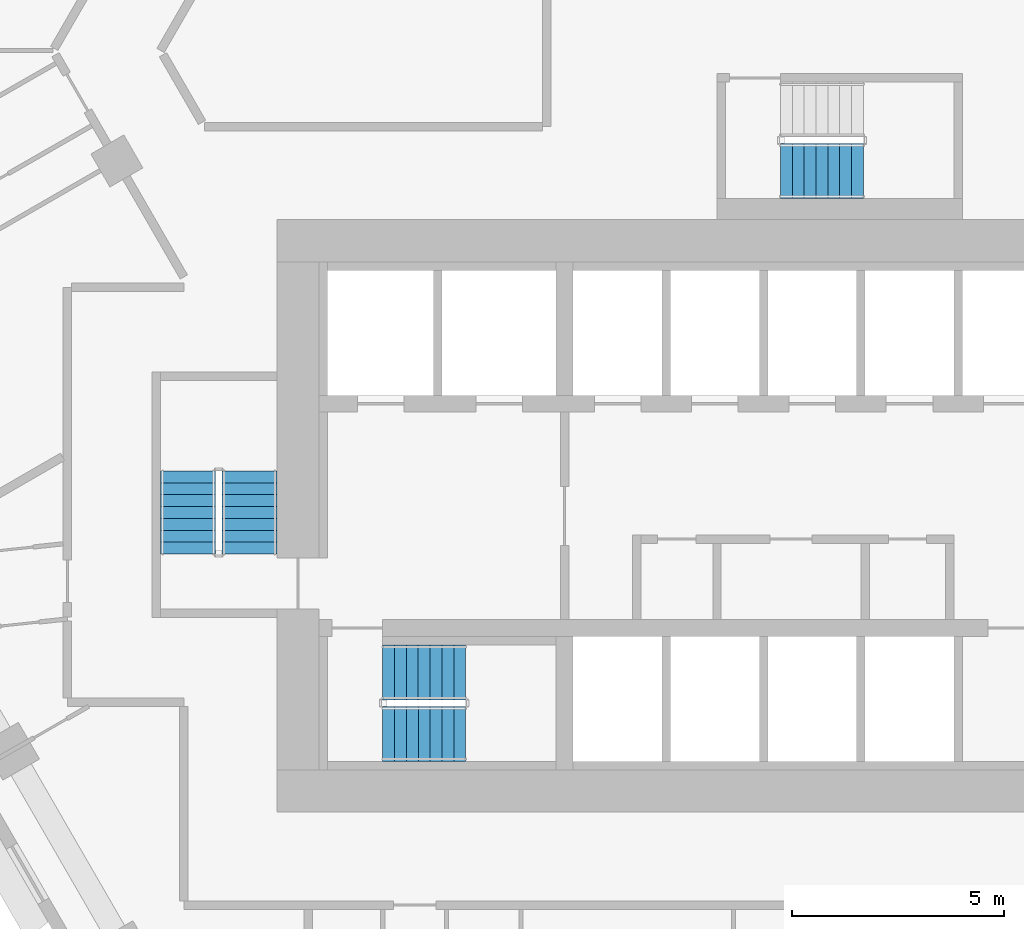
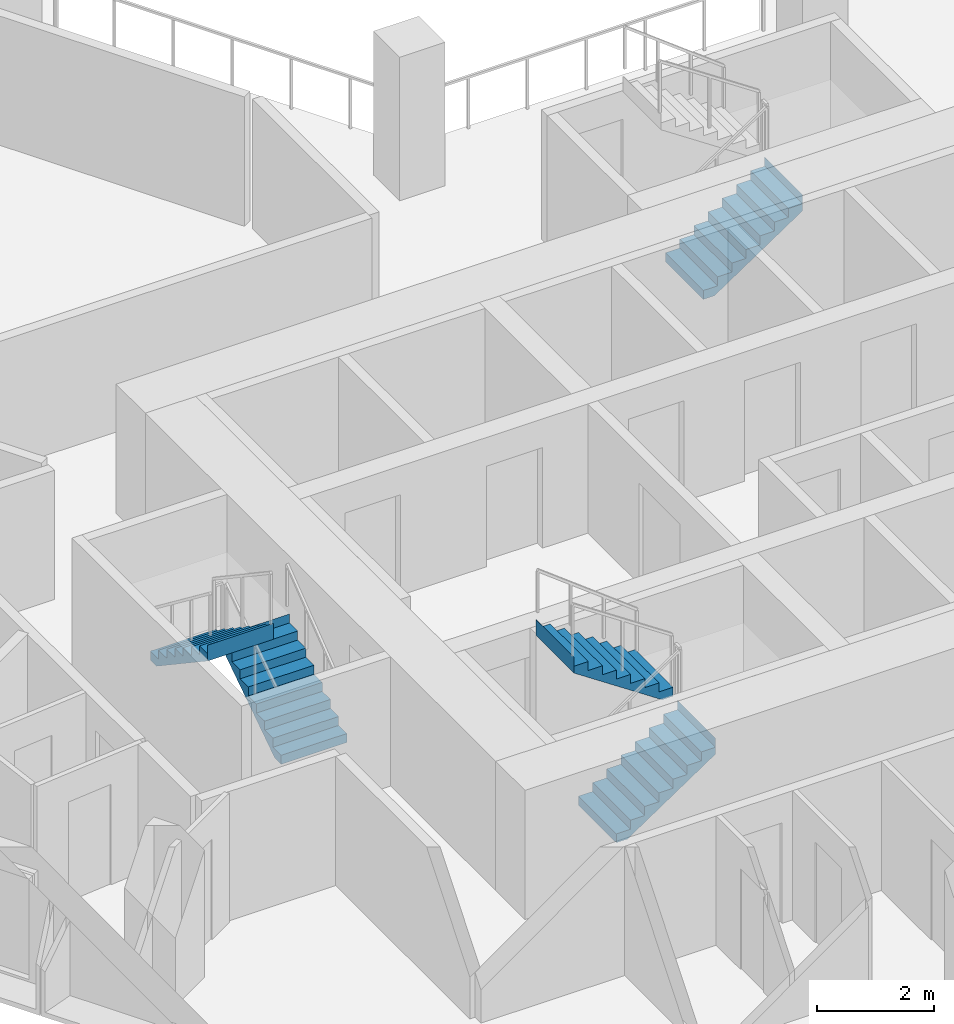
# One storey, part 11 of 16: 5 stair flights, 3 elements without a shape of their own.
"""IFC4 building model written with IfcOpenShell, lengths in metres."""

from ifc_helpers import new_model, si_unit, direction, frame, origin, place, context, subcontext, project, spatial, triangles, material, type_object, element, aggregate, save


model = new_model("IFC4")

# Units and contexts
model_context = context("Model", 3, precision=1e-05, world=origin(), true_north=direction((0.0, 1.0)))
body_context = subcontext(model_context, "Body", "Model", "MODEL_VIEW")
ifc_project = project(units=[si_unit("LENGTHUNIT", "METRE"), si_unit("AREAUNIT", "SQUARE_METRE"), si_unit("VOLUMEUNIT", "CUBIC_METRE"), si_unit("PLANEANGLEUNIT", "RADIAN"), si_unit("MASSUNIT", "GRAM", prefix="KILO")], contexts=[model_context])

# Site, building, storey
site_placement = place(None, origin())
site = spatial("IfcSite", under=ifc_project, at=site_placement, CompositionType="ELEMENT")
building_placement = place(site_placement, origin())
building = spatial("IfcBuilding", under=site, at=building_placement, Name="Beryl Residences", CompositionType="ELEMENT")
storey_placement = place(building_placement, frame((0.0, 0.0, 96.0)))
storey = spatial("IfcBuildingStorey", under=building, at=storey_placement, Name="L29", CompositionType="ELEMENT", Elevation=96.0)

# Stair, stair flights
ifc_material_1 = material(Name="Concrete C40/50", Category="concrete")
stair_type = type_object("IfcStairType", Name="ST1 protected exit stair, half-turn, 1300 mm flights", PredefinedType="HALF_TURN_STAIR", material=ifc_material_1)
stair_1_placement = place(storey_placement, origin())
stair_1 = element("IfcStair", 1, at=stair_1_placement, inside=storey, type_object=stair_type, Name="L29 PROTECTED EXIT STAIR ST-1", PredefinedType="HALF_TURN_STAIR")
ifc_material_2 = material(Name="Concrete C40/50", Category="concrete")
stair_flight_type = type_object("IfcStairFlightType", Name="SF1 stair flight 1300 mm", PredefinedType="STRAIGHT", material=ifc_material_2)
stair_flight_1_placement = place(storey_placement, frame((-10.800048828125, -17.14990234375, 0.0), z_axis=(0.0, 0.0, 1.0), x_axis=(1.0, 0.0, 0.0)))
stair_flight_1 = element("IfcStairFlight", 2, at=stair_flight_1_placement, type_object=stair_flight_type, Name="ST-1 flight 1", NumberOfRisers=8, NumberOfTreads=7, PredefinedType="STRAIGHT", RiserHeight=0.1875, TreadLength=0.28, context=body_context, shape_type="Tessellation", body=[
    triangles([(0.0, -0.64990234375, 0.0), (0.0, -0.324951171875, 0.0), (0.0, 0.0, 0.0), (0.0, 0.324951171875, 0.0), (0.0, 0.64990234375, 0.0), (0.0, -0.64990234375, 0.1875), (0.0, -0.324951171875, 0.1875), (0.0, 0.0, 0.1875), (0.0, 0.324951171875, 0.1875), (0.0, 0.64990234375, 0.1875), (0.280029296875, -0.64990234375, 0.1875), (0.280029296875, -0.324951171875, 0.1875), (0.280029296875, 0.0, 0.1875), (0.280029296875, 0.324951171875, 0.1875), (0.280029296875, 0.64990234375, 0.1875), (0.280029296875, -0.64990234375, 0.375), (0.280029296875, -0.324951171875, 0.375), (0.280029296875, 0.0, 0.375), (0.280029296875, 0.324951171875, 0.375), (0.280029296875, 0.64990234375, 0.375), (0.56005859375, -0.64990234375, 0.375), (0.56005859375, -0.324951171875, 0.375), (0.56005859375, 0.0, 0.375), (0.56005859375, 0.324951171875, 0.375), (0.56005859375, 0.64990234375, 0.375), (0.56005859375, -0.64990234375, 0.5625), (0.56005859375, -0.324951171875, 0.5625), (0.56005859375, 0.0, 0.5625), (0.56005859375, 0.324951171875, 0.5625), (0.56005859375, 0.64990234375, 0.5625), (0.840087890625, -0.64990234375, 0.5625), (0.840087890625, -0.324951171875, 0.5625), (0.840087890625, 0.0, 0.5625), (0.840087890625, 0.324951171875, 0.5625), (0.840087890625, 0.64990234375, 0.5625), (0.840087890625, -0.64990234375, 0.75), (0.840087890625, -0.324951171875, 0.75), (0.840087890625, 0.0, 0.75), (0.840087890625, 0.324951171875, 0.75), (0.840087890625, 0.64990234375, 0.75), (1.1201171875, -0.64990234375, 0.75), (1.1201171875, -0.324951171875, 0.75), (1.1201171875, 0.0, 0.75), (1.1201171875, 0.324951171875, 0.75), (1.1201171875, 0.64990234375, 0.75), (1.1201171875, -0.64990234375, 0.9375), (1.1201171875, -0.324951171875, 0.9375), (1.1201171875, 0.0, 0.9375), (1.1201171875, 0.324951171875, 0.9375), (1.1201171875, 0.64990234375, 0.9375), (1.39990234375, -0.64990234375, 0.9375), (1.39990234375, -0.324951171875, 0.9375), (1.39990234375, 0.0, 0.9375), (1.39990234375, 0.324951171875, 0.9375), (1.39990234375, 0.64990234375, 0.9375), (1.39990234375, -0.64990234375, 1.125), (1.39990234375, -0.324951171875, 1.125), (1.39990234375, 0.0, 1.125), (1.39990234375, 0.324951171875, 1.125), (1.39990234375, 0.64990234375, 1.125), (1.679931640625, -0.64990234375, 1.125), (1.679931640625, -0.324951171875, 1.125), (1.679931640625, 0.0, 1.125), (1.679931640625, 0.324951171875, 1.125), (1.679931640625, 0.64990234375, 1.125), (1.679931640625, -0.64990234375, 1.3125), (1.679931640625, -0.324951171875, 1.3125), (1.679931640625, 0.0, 1.3125), (1.679931640625, 0.324951171875, 1.3125), (1.679931640625, 0.64990234375, 1.3125), (1.9599609375, -0.64990234375, 1.3125), (1.9599609375, -0.324951171875, 1.3125), (1.9599609375, 0.0, 1.3125), (1.9599609375, 0.324951171875, 1.3125), (1.9599609375, 0.64990234375, 1.3125), (1.9599609375, -0.64990234375, 1.5), (1.9599609375, -0.324951171875, 1.5), (1.9599609375, 0.0, 1.5), (1.9599609375, 0.324951171875, 1.5), (1.9599609375, 0.64990234375, 1.5), (1.9609375, -0.64990234375, 1.5), (1.9609375, -0.324951171875, 1.5), (1.9609375, 0.0, 1.5), (1.9609375, 0.324951171875, 1.5), (1.9609375, 0.64990234375, 1.5), (1.9609375, -0.64990234375, 1.16796875), (1.9609375, -0.324951171875, 1.16796875), (1.9609375, 0.0, 1.16796875), (1.9609375, 0.324951171875, 1.16796875), (1.9609375, 0.64990234375, 1.16796875), (0.216796875, -0.64990234375, 0.0), (0.216796875, -0.324951171875, 0.0), (0.216796875, 0.0, 0.0), (0.216796875, 0.324951171875, 0.0), (0.216796875, 0.64990234375, 0.0)], [[1, 6, 7], [1, 7, 2], [2, 7, 8], [2, 8, 3], [3, 8, 9], [3, 9, 4], [4, 9, 10], [4, 10, 5], [6, 11, 12], [6, 12, 7], [7, 12, 13], [7, 13, 8], [8, 13, 14], [8, 14, 9], [9, 14, 15], [9, 15, 10], [11, 16, 17], [11, 17, 12], [12, 17, 18], [12, 18, 13], [13, 18, 19], [13, 19, 14], [14, 19, 20], [14, 20, 15], [16, 21, 22], [16, 22, 17], [17, 22, 23], [17, 23, 18], [18, 23, 24], [18, 24, 19], [19, 24, 25], [19, 25, 20], [21, 26, 27], [21, 27, 22], [22, 27, 28], [22, 28, 23], [23, 28, 29], [23, 29, 24], [24, 29, 30], [24, 30, 25], [26, 31, 32], [26, 32, 27], [27, 32, 33], [27, 33, 28], [28, 33, 34], [28, 34, 29], [29, 34, 35], [29, 35, 30], [31, 36, 37], [31, 37, 32], [32, 37, 38], [32, 38, 33], [33, 38, 39], [33, 39, 34], [34, 39, 40], [34, 40, 35], [36, 41, 42], [36, 42, 37], [37, 42, 43], [37, 43, 38], [38, 43, 44], [38, 44, 39], [39, 44, 45], [39, 45, 40], [41, 46, 47], [41, 47, 42], [42, 47, 48], [42, 48, 43], [43, 48, 49], [43, 49, 44], [44, 49, 50], [44, 50, 45], [46, 51, 52], [46, 52, 47], [47, 52, 53], [47, 53, 48], [48, 53, 54], [48, 54, 49], [49, 54, 55], [49, 55, 50], [51, 56, 57], [51, 57, 52], [52, 57, 58], [52, 58, 53], [53, 58, 59], [53, 59, 54], [54, 59, 60], [54, 60, 55], [56, 61, 62], [56, 62, 57], [57, 62, 63], [57, 63, 58], [58, 63, 64], [58, 64, 59], [59, 64, 65], [59, 65, 60], [61, 66, 67], [61, 67, 62], [62, 67, 68], [62, 68, 63], [63, 68, 69], [63, 69, 64], [64, 69, 70], [64, 70, 65], [66, 71, 72], [66, 72, 67], [67, 72, 73], [67, 73, 68], [68, 73, 74], [68, 74, 69], [69, 74, 75], [69, 75, 70], [71, 76, 77], [71, 77, 72], [72, 77, 78], [72, 78, 73], [73, 78, 79], [73, 79, 74], [74, 79, 80], [74, 80, 75], [76, 81, 82], [76, 82, 77], [77, 82, 83], [77, 83, 78], [78, 83, 84], [78, 84, 79], [79, 84, 85], [79, 85, 80], [81, 86, 87], [81, 87, 82], [82, 87, 88], [82, 88, 83], [83, 88, 89], [83, 89, 84], [84, 89, 90], [84, 90, 85], [86, 91, 92], [86, 92, 87], [87, 92, 93], [87, 93, 88], [88, 93, 94], [88, 94, 89], [89, 94, 95], [89, 95, 90], [91, 1, 2], [91, 2, 92], [92, 2, 3], [92, 3, 93], [93, 3, 4], [93, 4, 94], [94, 4, 5], [94, 5, 95], [1, 91, 86], [5, 90, 95], [86, 81, 76], [90, 80, 85], [86, 76, 71], [90, 75, 80], [86, 71, 66], [90, 70, 75], [86, 66, 61], [90, 65, 70], [61, 56, 51], [65, 55, 60], [86, 61, 51], [90, 55, 65], [51, 46, 41], [55, 45, 50], [86, 51, 41], [90, 45, 55], [41, 36, 31], [45, 35, 40], [86, 41, 31], [90, 35, 45], [31, 26, 21], [35, 25, 30], [86, 31, 21], [90, 25, 35], [21, 16, 11], [25, 15, 20], [86, 21, 11], [90, 15, 25], [1, 86, 11], [5, 15, 90], [11, 6, 1], [15, 5, 10]], closed=True),
])
stair_flight_2_placement = place(storey_placement, frame((-8.840087890625, -15.699951171875, 1.5), z_axis=(0.0, 0.0, 1.0), x_axis=(-1.0, 0.0, 0.0)))
stair_flight_2 = element("IfcStairFlight", 3, at=stair_flight_2_placement, type_object=stair_flight_type, Name="ST-1 flight 2", NumberOfRisers=8, NumberOfTreads=7, PredefinedType="STRAIGHT", RiserHeight=0.1875, TreadLength=0.28, context=body_context, shape_type="Tessellation", body=[
    triangles([(0.0, -0.64990234375, 0.0), (0.0, -0.324951171875, 0.0), (0.0, 0.0, 0.0), (0.0, 0.324951171875, 0.0), (0.0, 0.64990234375, 0.0), (0.0, -0.64990234375, 0.1875), (0.0, -0.324951171875, 0.1875), (0.0, 0.0, 0.1875), (0.0, 0.324951171875, 0.1875), (0.0, 0.64990234375, 0.1875), (0.280029296875, -0.64990234375, 0.1875), (0.280029296875, -0.324951171875, 0.1875), (0.280029296875, 0.0, 0.1875), (0.280029296875, 0.324951171875, 0.1875), (0.280029296875, 0.64990234375, 0.1875), (0.280029296875, -0.64990234375, 0.375), (0.280029296875, -0.324951171875, 0.375), (0.280029296875, 0.0, 0.375), (0.280029296875, 0.324951171875, 0.375), (0.280029296875, 0.64990234375, 0.375), (0.56005859375, -0.64990234375, 0.375), (0.56005859375, -0.324951171875, 0.375), (0.56005859375, 0.0, 0.375), (0.56005859375, 0.324951171875, 0.375), (0.56005859375, 0.64990234375, 0.375), (0.56005859375, -0.64990234375, 0.5625), (0.56005859375, -0.324951171875, 0.5625), (0.56005859375, 0.0, 0.5625), (0.56005859375, 0.324951171875, 0.5625), (0.56005859375, 0.64990234375, 0.5625), (0.840087890625, -0.64990234375, 0.5625), (0.840087890625, -0.324951171875, 0.5625), (0.840087890625, 0.0, 0.5625), (0.840087890625, 0.324951171875, 0.5625), (0.840087890625, 0.64990234375, 0.5625), (0.840087890625, -0.64990234375, 0.75), (0.840087890625, -0.324951171875, 0.75), (0.840087890625, 0.0, 0.75), (0.840087890625, 0.324951171875, 0.75), (0.840087890625, 0.64990234375, 0.75), (1.1201171875, -0.64990234375, 0.75), (1.1201171875, -0.324951171875, 0.75), (1.1201171875, 0.0, 0.75), (1.1201171875, 0.324951171875, 0.75), (1.1201171875, 0.64990234375, 0.75), (1.1201171875, -0.64990234375, 0.9375), (1.1201171875, -0.324951171875, 0.9375), (1.1201171875, 0.0, 0.9375), (1.1201171875, 0.324951171875, 0.9375), (1.1201171875, 0.64990234375, 0.9375), (1.39990234375, -0.64990234375, 0.9375), (1.39990234375, -0.324951171875, 0.9375), (1.39990234375, 0.0, 0.9375), (1.39990234375, 0.324951171875, 0.9375), (1.39990234375, 0.64990234375, 0.9375), (1.39990234375, -0.64990234375, 1.125), (1.39990234375, -0.324951171875, 1.125), (1.39990234375, 0.0, 1.125), (1.39990234375, 0.324951171875, 1.125), (1.39990234375, 0.64990234375, 1.125), (1.679931640625, -0.64990234375, 1.125), (1.679931640625, -0.324951171875, 1.125), (1.679931640625, 0.0, 1.125), (1.679931640625, 0.324951171875, 1.125), (1.679931640625, 0.64990234375, 1.125), (1.679931640625, -0.64990234375, 1.3125), (1.679931640625, -0.324951171875, 1.3125), (1.679931640625, 0.0, 1.3125), (1.679931640625, 0.324951171875, 1.3125), (1.679931640625, 0.64990234375, 1.3125), (1.9599609375, -0.64990234375, 1.3125), (1.9599609375, -0.324951171875, 1.3125), (1.9599609375, 0.0, 1.3125), (1.9599609375, 0.324951171875, 1.3125), (1.9599609375, 0.64990234375, 1.3125), (1.9599609375, -0.64990234375, 1.5), (1.9599609375, -0.324951171875, 1.5), (1.9599609375, 0.0, 1.5), (1.9599609375, 0.324951171875, 1.5), (1.9599609375, 0.64990234375, 1.5), (1.9609375, -0.64990234375, 1.5), (1.9609375, -0.324951171875, 1.5), (1.9609375, 0.0, 1.5), (1.9609375, 0.324951171875, 1.5), (1.9609375, 0.64990234375, 1.5), (1.9609375, -0.64990234375, 1.16796875), (1.9609375, -0.324951171875, 1.16796875), (1.9609375, 0.0, 1.16796875), (1.9609375, 0.324951171875, 1.16796875), (1.9609375, 0.64990234375, 1.16796875), (0.216796875, -0.64990234375, 0.0), (0.216796875, -0.324951171875, 0.0), (0.216796875, 0.0, 0.0), (0.216796875, 0.324951171875, 0.0), (0.216796875, 0.64990234375, 0.0)], [[1, 6, 7], [1, 7, 2], [2, 7, 8], [2, 8, 3], [3, 8, 9], [3, 9, 4], [4, 9, 10], [4, 10, 5], [6, 11, 12], [6, 12, 7], [7, 12, 13], [7, 13, 8], [8, 13, 14], [8, 14, 9], [9, 14, 15], [9, 15, 10], [11, 16, 17], [11, 17, 12], [12, 17, 18], [12, 18, 13], [13, 18, 19], [13, 19, 14], [14, 19, 20], [14, 20, 15], [16, 21, 22], [16, 22, 17], [17, 22, 23], [17, 23, 18], [18, 23, 24], [18, 24, 19], [19, 24, 25], [19, 25, 20], [21, 26, 27], [21, 27, 22], [22, 27, 28], [22, 28, 23], [23, 28, 29], [23, 29, 24], [24, 29, 30], [24, 30, 25], [26, 31, 32], [26, 32, 27], [27, 32, 33], [27, 33, 28], [28, 33, 34], [28, 34, 29], [29, 34, 35], [29, 35, 30], [31, 36, 37], [31, 37, 32], [32, 37, 38], [32, 38, 33], [33, 38, 39], [33, 39, 34], [34, 39, 40], [34, 40, 35], [36, 41, 42], [36, 42, 37], [37, 42, 43], [37, 43, 38], [38, 43, 44], [38, 44, 39], [39, 44, 45], [39, 45, 40], [41, 46, 47], [41, 47, 42], [42, 47, 48], [42, 48, 43], [43, 48, 49], [43, 49, 44], [44, 49, 50], [44, 50, 45], [46, 51, 52], [46, 52, 47], [47, 52, 53], [47, 53, 48], [48, 53, 54], [48, 54, 49], [49, 54, 55], [49, 55, 50], [51, 56, 57], [51, 57, 52], [52, 57, 58], [52, 58, 53], [53, 58, 59], [53, 59, 54], [54, 59, 60], [54, 60, 55], [56, 61, 62], [56, 62, 57], [57, 62, 63], [57, 63, 58], [58, 63, 64], [58, 64, 59], [59, 64, 65], [59, 65, 60], [61, 66, 67], [61, 67, 62], [62, 67, 68], [62, 68, 63], [63, 68, 69], [63, 69, 64], [64, 69, 70], [64, 70, 65], [66, 71, 72], [66, 72, 67], [67, 72, 73], [67, 73, 68], [68, 73, 74], [68, 74, 69], [69, 74, 75], [69, 75, 70], [71, 76, 77], [71, 77, 72], [72, 77, 78], [72, 78, 73], [73, 78, 79], [73, 79, 74], [74, 79, 80], [74, 80, 75], [76, 81, 82], [76, 82, 77], [77, 82, 83], [77, 83, 78], [78, 83, 84], [78, 84, 79], [79, 84, 85], [79, 85, 80], [81, 86, 87], [81, 87, 82], [82, 87, 88], [82, 88, 83], [83, 88, 89], [83, 89, 84], [84, 89, 90], [84, 90, 85], [86, 91, 92], [86, 92, 87], [87, 92, 93], [87, 93, 88], [88, 93, 94], [88, 94, 89], [89, 94, 95], [89, 95, 90], [91, 1, 2], [91, 2, 92], [92, 2, 3], [92, 3, 93], [93, 3, 4], [93, 4, 94], [94, 4, 5], [94, 5, 95], [1, 91, 86], [5, 90, 95], [86, 81, 76], [90, 80, 85], [86, 76, 71], [90, 75, 80], [86, 71, 66], [90, 70, 75], [86, 66, 61], [90, 65, 70], [61, 56, 51], [65, 55, 60], [86, 61, 51], [90, 55, 65], [51, 46, 41], [55, 45, 50], [86, 51, 41], [90, 45, 55], [41, 36, 31], [45, 35, 40], [86, 41, 31], [90, 35, 45], [31, 26, 21], [35, 25, 30], [86, 31, 21], [90, 25, 35], [21, 16, 11], [25, 15, 20], [86, 21, 11], [90, 15, 25], [1, 86, 11], [5, 15, 90], [11, 6, 1], [15, 5, 10]], closed=True),
])
aggregate(stair_1, [stair_flight_1, stair_flight_2])

stair_2_placement = place(storey_placement, origin())
stair_2 = element("IfcStair", 4, at=stair_2_placement, inside=storey, type_object=stair_type, Name="L29 PROTECTED EXIT STAIR ST-2", PredefinedType="HALF_TURN_STAIR")
stair_flight_3_placement = place(storey_placement, frame((-13.949951171875, -12.89990234375, 0.0), z_axis=(0.0, 0.0, 1.0), x_axis=(0.0, 1.0, 0.0)))
stair_flight_3 = element("IfcStairFlight", 5, at=stair_flight_3_placement, type_object=stair_flight_type, Name="ST-2 flight 1", NumberOfRisers=8, NumberOfTreads=7, PredefinedType="STRAIGHT", RiserHeight=0.1875, TreadLength=0.28, context=body_context, shape_type="Tessellation", body=[
    triangles([(0.0, -0.64990234375, 0.0), (0.0, -0.324951171875, 0.0), (0.0, 0.0, 0.0), (0.0, 0.324951171875, 0.0), (0.0, 0.64990234375, 0.0), (0.0, -0.64990234375, 0.1875), (0.0, -0.324951171875, 0.1875), (0.0, 0.0, 0.1875), (0.0, 0.324951171875, 0.1875), (0.0, 0.64990234375, 0.1875), (0.280029296875, -0.64990234375, 0.1875), (0.280029296875, -0.324951171875, 0.1875), (0.280029296875, 0.0, 0.1875), (0.280029296875, 0.324951171875, 0.1875), (0.280029296875, 0.64990234375, 0.1875), (0.280029296875, -0.64990234375, 0.375), (0.280029296875, -0.324951171875, 0.375), (0.280029296875, 0.0, 0.375), (0.280029296875, 0.324951171875, 0.375), (0.280029296875, 0.64990234375, 0.375), (0.56005859375, -0.64990234375, 0.375), (0.56005859375, -0.324951171875, 0.375), (0.56005859375, 0.0, 0.375), (0.56005859375, 0.324951171875, 0.375), (0.56005859375, 0.64990234375, 0.375), (0.56005859375, -0.64990234375, 0.5625), (0.56005859375, -0.324951171875, 0.5625), (0.56005859375, 0.0, 0.5625), (0.56005859375, 0.324951171875, 0.5625), (0.56005859375, 0.64990234375, 0.5625), (0.840087890625, -0.64990234375, 0.5625), (0.840087890625, -0.324951171875, 0.5625), (0.840087890625, 0.0, 0.5625), (0.840087890625, 0.324951171875, 0.5625), (0.840087890625, 0.64990234375, 0.5625), (0.840087890625, -0.64990234375, 0.75), (0.840087890625, -0.324951171875, 0.75), (0.840087890625, 0.0, 0.75), (0.840087890625, 0.324951171875, 0.75), (0.840087890625, 0.64990234375, 0.75), (1.1201171875, -0.64990234375, 0.75), (1.1201171875, -0.324951171875, 0.75), (1.1201171875, 0.0, 0.75), (1.1201171875, 0.324951171875, 0.75), (1.1201171875, 0.64990234375, 0.75), (1.1201171875, -0.64990234375, 0.9375), (1.1201171875, -0.324951171875, 0.9375), (1.1201171875, 0.0, 0.9375), (1.1201171875, 0.324951171875, 0.9375), (1.1201171875, 0.64990234375, 0.9375), (1.39990234375, -0.64990234375, 0.9375), (1.39990234375, -0.324951171875, 0.9375), (1.39990234375, 0.0, 0.9375), (1.39990234375, 0.324951171875, 0.9375), (1.39990234375, 0.64990234375, 0.9375), (1.39990234375, -0.64990234375, 1.125), (1.39990234375, -0.324951171875, 1.125), (1.39990234375, 0.0, 1.125), (1.39990234375, 0.324951171875, 1.125), (1.39990234375, 0.64990234375, 1.125), (1.679931640625, -0.64990234375, 1.125), (1.679931640625, -0.324951171875, 1.125), (1.679931640625, 0.0, 1.125), (1.679931640625, 0.324951171875, 1.125), (1.679931640625, 0.64990234375, 1.125), (1.679931640625, -0.64990234375, 1.3125), (1.679931640625, -0.324951171875, 1.3125), (1.679931640625, 0.0, 1.3125), (1.679931640625, 0.324951171875, 1.3125), (1.679931640625, 0.64990234375, 1.3125), (1.9599609375, -0.64990234375, 1.3125), (1.9599609375, -0.324951171875, 1.3125), (1.9599609375, 0.0, 1.3125), (1.9599609375, 0.324951171875, 1.3125), (1.9599609375, 0.64990234375, 1.3125), (1.9599609375, -0.64990234375, 1.5), (1.9599609375, -0.324951171875, 1.5), (1.9599609375, 0.0, 1.5), (1.9599609375, 0.324951171875, 1.5), (1.9599609375, 0.64990234375, 1.5), (1.9609375, -0.64990234375, 1.5), (1.9609375, -0.324951171875, 1.5), (1.9609375, 0.0, 1.5), (1.9609375, 0.324951171875, 1.5), (1.9609375, 0.64990234375, 1.5), (1.9609375, -0.64990234375, 1.16796875), (1.9609375, -0.324951171875, 1.16796875), (1.9609375, 0.0, 1.16796875), (1.9609375, 0.324951171875, 1.16796875), (1.9609375, 0.64990234375, 1.16796875), (0.216796875, -0.64990234375, 0.0), (0.216796875, -0.324951171875, 0.0), (0.216796875, 0.0, 0.0), (0.216796875, 0.324951171875, 0.0), (0.216796875, 0.64990234375, 0.0)], [[1, 6, 7], [1, 7, 2], [2, 7, 8], [2, 8, 3], [3, 8, 9], [3, 9, 4], [4, 9, 10], [4, 10, 5], [6, 11, 12], [6, 12, 7], [7, 12, 13], [7, 13, 8], [8, 13, 14], [8, 14, 9], [9, 14, 15], [9, 15, 10], [11, 16, 17], [11, 17, 12], [12, 17, 18], [12, 18, 13], [13, 18, 19], [13, 19, 14], [14, 19, 20], [14, 20, 15], [16, 21, 22], [16, 22, 17], [17, 22, 23], [17, 23, 18], [18, 23, 24], [18, 24, 19], [19, 24, 25], [19, 25, 20], [21, 26, 27], [21, 27, 22], [22, 27, 28], [22, 28, 23], [23, 28, 29], [23, 29, 24], [24, 29, 30], [24, 30, 25], [26, 31, 32], [26, 32, 27], [27, 32, 33], [27, 33, 28], [28, 33, 34], [28, 34, 29], [29, 34, 35], [29, 35, 30], [31, 36, 37], [31, 37, 32], [32, 37, 38], [32, 38, 33], [33, 38, 39], [33, 39, 34], [34, 39, 40], [34, 40, 35], [36, 41, 42], [36, 42, 37], [37, 42, 43], [37, 43, 38], [38, 43, 44], [38, 44, 39], [39, 44, 45], [39, 45, 40], [41, 46, 47], [41, 47, 42], [42, 47, 48], [42, 48, 43], [43, 48, 49], [43, 49, 44], [44, 49, 50], [44, 50, 45], [46, 51, 52], [46, 52, 47], [47, 52, 53], [47, 53, 48], [48, 53, 54], [48, 54, 49], [49, 54, 55], [49, 55, 50], [51, 56, 57], [51, 57, 52], [52, 57, 58], [52, 58, 53], [53, 58, 59], [53, 59, 54], [54, 59, 60], [54, 60, 55], [56, 61, 62], [56, 62, 57], [57, 62, 63], [57, 63, 58], [58, 63, 64], [58, 64, 59], [59, 64, 65], [59, 65, 60], [61, 66, 67], [61, 67, 62], [62, 67, 68], [62, 68, 63], [63, 68, 69], [63, 69, 64], [64, 69, 70], [64, 70, 65], [66, 71, 72], [66, 72, 67], [67, 72, 73], [67, 73, 68], [68, 73, 74], [68, 74, 69], [69, 74, 75], [69, 75, 70], [71, 76, 77], [71, 77, 72], [72, 77, 78], [72, 78, 73], [73, 78, 79], [73, 79, 74], [74, 79, 80], [74, 80, 75], [76, 81, 82], [76, 82, 77], [77, 82, 83], [77, 83, 78], [78, 83, 84], [78, 84, 79], [79, 84, 85], [79, 85, 80], [81, 86, 87], [81, 87, 82], [82, 87, 88], [82, 88, 83], [83, 88, 89], [83, 89, 84], [84, 89, 90], [84, 90, 85], [86, 91, 92], [86, 92, 87], [87, 92, 93], [87, 93, 88], [88, 93, 94], [88, 94, 89], [89, 94, 95], [89, 95, 90], [91, 1, 2], [91, 2, 92], [92, 2, 3], [92, 3, 93], [93, 3, 4], [93, 4, 94], [94, 4, 5], [94, 5, 95], [1, 91, 86], [5, 90, 95], [86, 81, 76], [90, 80, 85], [86, 76, 71], [90, 75, 80], [86, 71, 66], [90, 70, 75], [86, 66, 61], [90, 65, 70], [61, 56, 51], [65, 55, 60], [86, 61, 51], [90, 55, 65], [51, 46, 41], [55, 45, 50], [86, 51, 41], [90, 45, 55], [41, 36, 31], [45, 35, 40], [86, 41, 31], [90, 35, 45], [31, 26, 21], [35, 25, 30], [86, 31, 21], [90, 25, 35], [21, 16, 11], [25, 15, 20], [86, 21, 11], [90, 15, 25], [1, 86, 11], [5, 15, 90], [11, 6, 1], [15, 5, 10]], closed=True),
])
stair_flight_4_placement = place(storey_placement, frame((-15.39990234375, -10.93994140625, 1.5), z_axis=(0.0, 0.0, 1.0), x_axis=(0.0, -1.0, 0.0)))
stair_flight_4 = element("IfcStairFlight", 6, at=stair_flight_4_placement, type_object=stair_flight_type, Name="ST-2 flight 2", NumberOfRisers=8, NumberOfTreads=7, PredefinedType="STRAIGHT", RiserHeight=0.1875, TreadLength=0.28, context=body_context, shape_type="Tessellation", body=[
    triangles([(0.0, -0.64990234375, 0.0), (0.0, -0.324951171875, 0.0), (0.0, 0.0, 0.0), (0.0, 0.324951171875, 0.0), (0.0, 0.64990234375, 0.0), (0.0, -0.64990234375, 0.1875), (0.0, -0.324951171875, 0.1875), (0.0, 0.0, 0.1875), (0.0, 0.324951171875, 0.1875), (0.0, 0.64990234375, 0.1875), (0.280029296875, -0.64990234375, 0.1875), (0.280029296875, -0.324951171875, 0.1875), (0.280029296875, 0.0, 0.1875), (0.280029296875, 0.324951171875, 0.1875), (0.280029296875, 0.64990234375, 0.1875), (0.280029296875, -0.64990234375, 0.375), (0.280029296875, -0.324951171875, 0.375), (0.280029296875, 0.0, 0.375), (0.280029296875, 0.324951171875, 0.375), (0.280029296875, 0.64990234375, 0.375), (0.56005859375, -0.64990234375, 0.375), (0.56005859375, -0.324951171875, 0.375), (0.56005859375, 0.0, 0.375), (0.56005859375, 0.324951171875, 0.375), (0.56005859375, 0.64990234375, 0.375), (0.56005859375, -0.64990234375, 0.5625), (0.56005859375, -0.324951171875, 0.5625), (0.56005859375, 0.0, 0.5625), (0.56005859375, 0.324951171875, 0.5625), (0.56005859375, 0.64990234375, 0.5625), (0.840087890625, -0.64990234375, 0.5625), (0.840087890625, -0.324951171875, 0.5625), (0.840087890625, 0.0, 0.5625), (0.840087890625, 0.324951171875, 0.5625), (0.840087890625, 0.64990234375, 0.5625), (0.840087890625, -0.64990234375, 0.75), (0.840087890625, -0.324951171875, 0.75), (0.840087890625, 0.0, 0.75), (0.840087890625, 0.324951171875, 0.75), (0.840087890625, 0.64990234375, 0.75), (1.1201171875, -0.64990234375, 0.75), (1.1201171875, -0.324951171875, 0.75), (1.1201171875, 0.0, 0.75), (1.1201171875, 0.324951171875, 0.75), (1.1201171875, 0.64990234375, 0.75), (1.1201171875, -0.64990234375, 0.9375), (1.1201171875, -0.324951171875, 0.9375), (1.1201171875, 0.0, 0.9375), (1.1201171875, 0.324951171875, 0.9375), (1.1201171875, 0.64990234375, 0.9375), (1.39990234375, -0.64990234375, 0.9375), (1.39990234375, -0.324951171875, 0.9375), (1.39990234375, 0.0, 0.9375), (1.39990234375, 0.324951171875, 0.9375), (1.39990234375, 0.64990234375, 0.9375), (1.39990234375, -0.64990234375, 1.125), (1.39990234375, -0.324951171875, 1.125), (1.39990234375, 0.0, 1.125), (1.39990234375, 0.324951171875, 1.125), (1.39990234375, 0.64990234375, 1.125), (1.679931640625, -0.64990234375, 1.125), (1.679931640625, -0.324951171875, 1.125), (1.679931640625, 0.0, 1.125), (1.679931640625, 0.324951171875, 1.125), (1.679931640625, 0.64990234375, 1.125), (1.679931640625, -0.64990234375, 1.3125), (1.679931640625, -0.324951171875, 1.3125), (1.679931640625, 0.0, 1.3125), (1.679931640625, 0.324951171875, 1.3125), (1.679931640625, 0.64990234375, 1.3125), (1.9599609375, -0.64990234375, 1.3125), (1.9599609375, -0.324951171875, 1.3125), (1.9599609375, 0.0, 1.3125), (1.9599609375, 0.324951171875, 1.3125), (1.9599609375, 0.64990234375, 1.3125), (1.9599609375, -0.64990234375, 1.5), (1.9599609375, -0.324951171875, 1.5), (1.9599609375, 0.0, 1.5), (1.9599609375, 0.324951171875, 1.5), (1.9599609375, 0.64990234375, 1.5), (1.9609375, -0.64990234375, 1.5), (1.9609375, -0.324951171875, 1.5), (1.9609375, 0.0, 1.5), (1.9609375, 0.324951171875, 1.5), (1.9609375, 0.64990234375, 1.5), (1.9609375, -0.64990234375, 1.16796875), (1.9609375, -0.324951171875, 1.16796875), (1.9609375, 0.0, 1.16796875), (1.9609375, 0.324951171875, 1.16796875), (1.9609375, 0.64990234375, 1.16796875), (0.216796875, -0.64990234375, 0.0), (0.216796875, -0.324951171875, 0.0), (0.216796875, 0.0, 0.0), (0.216796875, 0.324951171875, 0.0), (0.216796875, 0.64990234375, 0.0)], [[1, 6, 7], [1, 7, 2], [2, 7, 8], [2, 8, 3], [3, 8, 9], [3, 9, 4], [4, 9, 10], [4, 10, 5], [6, 11, 12], [6, 12, 7], [7, 12, 13], [7, 13, 8], [8, 13, 14], [8, 14, 9], [9, 14, 15], [9, 15, 10], [11, 16, 17], [11, 17, 12], [12, 17, 18], [12, 18, 13], [13, 18, 19], [13, 19, 14], [14, 19, 20], [14, 20, 15], [16, 21, 22], [16, 22, 17], [17, 22, 23], [17, 23, 18], [18, 23, 24], [18, 24, 19], [19, 24, 25], [19, 25, 20], [21, 26, 27], [21, 27, 22], [22, 27, 28], [22, 28, 23], [23, 28, 29], [23, 29, 24], [24, 29, 30], [24, 30, 25], [26, 31, 32], [26, 32, 27], [27, 32, 33], [27, 33, 28], [28, 33, 34], [28, 34, 29], [29, 34, 35], [29, 35, 30], [31, 36, 37], [31, 37, 32], [32, 37, 38], [32, 38, 33], [33, 38, 39], [33, 39, 34], [34, 39, 40], [34, 40, 35], [36, 41, 42], [36, 42, 37], [37, 42, 43], [37, 43, 38], [38, 43, 44], [38, 44, 39], [39, 44, 45], [39, 45, 40], [41, 46, 47], [41, 47, 42], [42, 47, 48], [42, 48, 43], [43, 48, 49], [43, 49, 44], [44, 49, 50], [44, 50, 45], [46, 51, 52], [46, 52, 47], [47, 52, 53], [47, 53, 48], [48, 53, 54], [48, 54, 49], [49, 54, 55], [49, 55, 50], [51, 56, 57], [51, 57, 52], [52, 57, 58], [52, 58, 53], [53, 58, 59], [53, 59, 54], [54, 59, 60], [54, 60, 55], [56, 61, 62], [56, 62, 57], [57, 62, 63], [57, 63, 58], [58, 63, 64], [58, 64, 59], [59, 64, 65], [59, 65, 60], [61, 66, 67], [61, 67, 62], [62, 67, 68], [62, 68, 63], [63, 68, 69], [63, 69, 64], [64, 69, 70], [64, 70, 65], [66, 71, 72], [66, 72, 67], [67, 72, 73], [67, 73, 68], [68, 73, 74], [68, 74, 69], [69, 74, 75], [69, 75, 70], [71, 76, 77], [71, 77, 72], [72, 77, 78], [72, 78, 73], [73, 78, 79], [73, 79, 74], [74, 79, 80], [74, 80, 75], [76, 81, 82], [76, 82, 77], [77, 82, 83], [77, 83, 78], [78, 83, 84], [78, 84, 79], [79, 84, 85], [79, 85, 80], [81, 86, 87], [81, 87, 82], [82, 87, 88], [82, 88, 83], [83, 88, 89], [83, 89, 84], [84, 89, 90], [84, 90, 85], [86, 91, 92], [86, 92, 87], [87, 92, 93], [87, 93, 88], [88, 93, 94], [88, 94, 89], [89, 94, 95], [89, 95, 90], [91, 1, 2], [91, 2, 92], [92, 2, 3], [92, 3, 93], [93, 3, 4], [93, 4, 94], [94, 4, 5], [94, 5, 95], [1, 91, 86], [5, 90, 95], [86, 81, 76], [90, 80, 85], [86, 76, 71], [90, 75, 80], [86, 71, 66], [90, 70, 75], [86, 66, 61], [90, 65, 70], [61, 56, 51], [65, 55, 60], [86, 61, 51], [90, 55, 65], [51, 46, 41], [55, 45, 50], [86, 51, 41], [90, 45, 55], [41, 36, 31], [45, 35, 40], [86, 41, 31], [90, 35, 45], [31, 26, 21], [35, 25, 30], [86, 31, 21], [90, 25, 35], [21, 16, 11], [25, 15, 20], [86, 21, 11], [90, 15, 25], [1, 86, 11], [5, 15, 90], [11, 6, 1], [15, 5, 10]], closed=True),
])
aggregate(stair_2, [stair_flight_3, stair_flight_4])

# Stair, stair flight
stair_3_placement = place(storey_placement, origin())
stair_3 = element("IfcStair", 7, at=stair_3_placement, inside=storey, type_object=stair_type, Name="L29 PROTECTED EXIT STAIR ST-4", PredefinedType="HALF_TURN_STAIR")
stair_flight_5_placement = place(storey_placement, frame((-1.39990234375, -3.85009765625, 0.0), z_axis=(0.0, 0.0, 1.0), x_axis=(1.0, 0.0, 0.0)))
stair_flight_5 = element("IfcStairFlight", 8, at=stair_flight_5_placement, type_object=stair_flight_type, Name="ST-4 flight 1", NumberOfRisers=8, NumberOfTreads=7, PredefinedType="STRAIGHT", RiserHeight=0.1875, TreadLength=0.28, context=body_context, shape_type="Tessellation", body=[
    triangles([(0.0, -0.64990234375, 0.0), (0.0, -0.324951171875, 0.0), (0.0, 0.0, 0.0), (0.0, 0.324951171875, 0.0), (0.0, 0.64990234375, 0.0), (0.0, -0.64990234375, 0.1875), (0.0, -0.324951171875, 0.1875), (0.0, 0.0, 0.1875), (0.0, 0.324951171875, 0.1875), (0.0, 0.64990234375, 0.1875), (0.280029296875, -0.64990234375, 0.1875), (0.280029296875, -0.324951171875, 0.1875), (0.280029296875, 0.0, 0.1875), (0.280029296875, 0.324951171875, 0.1875), (0.280029296875, 0.64990234375, 0.1875), (0.280029296875, -0.64990234375, 0.375), (0.280029296875, -0.324951171875, 0.375), (0.280029296875, 0.0, 0.375), (0.280029296875, 0.324951171875, 0.375), (0.280029296875, 0.64990234375, 0.375), (0.56005859375, -0.64990234375, 0.375), (0.56005859375, -0.324951171875, 0.375), (0.56005859375, 0.0, 0.375), (0.56005859375, 0.324951171875, 0.375), (0.56005859375, 0.64990234375, 0.375), (0.56005859375, -0.64990234375, 0.5625), (0.56005859375, -0.324951171875, 0.5625), (0.56005859375, 0.0, 0.5625), (0.56005859375, 0.324951171875, 0.5625), (0.56005859375, 0.64990234375, 0.5625), (0.840087890625, -0.64990234375, 0.5625), (0.840087890625, -0.324951171875, 0.5625), (0.840087890625, 0.0, 0.5625), (0.840087890625, 0.324951171875, 0.5625), (0.840087890625, 0.64990234375, 0.5625), (0.840087890625, -0.64990234375, 0.75), (0.840087890625, -0.324951171875, 0.75), (0.840087890625, 0.0, 0.75), (0.840087890625, 0.324951171875, 0.75), (0.840087890625, 0.64990234375, 0.75), (1.1201171875, -0.64990234375, 0.75), (1.1201171875, -0.324951171875, 0.75), (1.1201171875, 0.0, 0.75), (1.1201171875, 0.324951171875, 0.75), (1.1201171875, 0.64990234375, 0.75), (1.1201171875, -0.64990234375, 0.9375), (1.1201171875, -0.324951171875, 0.9375), (1.1201171875, 0.0, 0.9375), (1.1201171875, 0.324951171875, 0.9375), (1.1201171875, 0.64990234375, 0.9375), (1.39990234375, -0.64990234375, 0.9375), (1.39990234375, -0.324951171875, 0.9375), (1.39990234375, 0.0, 0.9375), (1.39990234375, 0.324951171875, 0.9375), (1.39990234375, 0.64990234375, 0.9375), (1.39990234375, -0.64990234375, 1.125), (1.39990234375, -0.324951171875, 1.125), (1.39990234375, 0.0, 1.125), (1.39990234375, 0.324951171875, 1.125), (1.39990234375, 0.64990234375, 1.125), (1.679931640625, -0.64990234375, 1.125), (1.679931640625, -0.324951171875, 1.125), (1.679931640625, 0.0, 1.125), (1.679931640625, 0.324951171875, 1.125), (1.679931640625, 0.64990234375, 1.125), (1.679931640625, -0.64990234375, 1.3125), (1.679931640625, -0.324951171875, 1.3125), (1.679931640625, 0.0, 1.3125), (1.679931640625, 0.324951171875, 1.3125), (1.679931640625, 0.64990234375, 1.3125), (1.9599609375, -0.64990234375, 1.3125), (1.9599609375, -0.324951171875, 1.3125), (1.9599609375, 0.0, 1.3125), (1.9599609375, 0.324951171875, 1.3125), (1.9599609375, 0.64990234375, 1.3125), (1.9599609375, -0.64990234375, 1.5), (1.9599609375, -0.324951171875, 1.5), (1.9599609375, 0.0, 1.5), (1.9599609375, 0.324951171875, 1.5), (1.9599609375, 0.64990234375, 1.5), (1.9609375, -0.64990234375, 1.5), (1.9609375, -0.324951171875, 1.5), (1.9609375, 0.0, 1.5), (1.9609375, 0.324951171875, 1.5), (1.9609375, 0.64990234375, 1.5), (1.9609375, -0.64990234375, 1.16796875), (1.9609375, -0.324951171875, 1.16796875), (1.9609375, 0.0, 1.16796875), (1.9609375, 0.324951171875, 1.16796875), (1.9609375, 0.64990234375, 1.16796875), (0.216796875, -0.64990234375, 0.0), (0.216796875, -0.324951171875, 0.0), (0.216796875, 0.0, 0.0), (0.216796875, 0.324951171875, 0.0), (0.216796875, 0.64990234375, 0.0)], [[1, 6, 7], [1, 7, 2], [2, 7, 8], [2, 8, 3], [3, 8, 9], [3, 9, 4], [4, 9, 10], [4, 10, 5], [6, 11, 12], [6, 12, 7], [7, 12, 13], [7, 13, 8], [8, 13, 14], [8, 14, 9], [9, 14, 15], [9, 15, 10], [11, 16, 17], [11, 17, 12], [12, 17, 18], [12, 18, 13], [13, 18, 19], [13, 19, 14], [14, 19, 20], [14, 20, 15], [16, 21, 22], [16, 22, 17], [17, 22, 23], [17, 23, 18], [18, 23, 24], [18, 24, 19], [19, 24, 25], [19, 25, 20], [21, 26, 27], [21, 27, 22], [22, 27, 28], [22, 28, 23], [23, 28, 29], [23, 29, 24], [24, 29, 30], [24, 30, 25], [26, 31, 32], [26, 32, 27], [27, 32, 33], [27, 33, 28], [28, 33, 34], [28, 34, 29], [29, 34, 35], [29, 35, 30], [31, 36, 37], [31, 37, 32], [32, 37, 38], [32, 38, 33], [33, 38, 39], [33, 39, 34], [34, 39, 40], [34, 40, 35], [36, 41, 42], [36, 42, 37], [37, 42, 43], [37, 43, 38], [38, 43, 44], [38, 44, 39], [39, 44, 45], [39, 45, 40], [41, 46, 47], [41, 47, 42], [42, 47, 48], [42, 48, 43], [43, 48, 49], [43, 49, 44], [44, 49, 50], [44, 50, 45], [46, 51, 52], [46, 52, 47], [47, 52, 53], [47, 53, 48], [48, 53, 54], [48, 54, 49], [49, 54, 55], [49, 55, 50], [51, 56, 57], [51, 57, 52], [52, 57, 58], [52, 58, 53], [53, 58, 59], [53, 59, 54], [54, 59, 60], [54, 60, 55], [56, 61, 62], [56, 62, 57], [57, 62, 63], [57, 63, 58], [58, 63, 64], [58, 64, 59], [59, 64, 65], [59, 65, 60], [61, 66, 67], [61, 67, 62], [62, 67, 68], [62, 68, 63], [63, 68, 69], [63, 69, 64], [64, 69, 70], [64, 70, 65], [66, 71, 72], [66, 72, 67], [67, 72, 73], [67, 73, 68], [68, 73, 74], [68, 74, 69], [69, 74, 75], [69, 75, 70], [71, 76, 77], [71, 77, 72], [72, 77, 78], [72, 78, 73], [73, 78, 79], [73, 79, 74], [74, 79, 80], [74, 80, 75], [76, 81, 82], [76, 82, 77], [77, 82, 83], [77, 83, 78], [78, 83, 84], [78, 84, 79], [79, 84, 85], [79, 85, 80], [81, 86, 87], [81, 87, 82], [82, 87, 88], [82, 88, 83], [83, 88, 89], [83, 89, 84], [84, 89, 90], [84, 90, 85], [86, 91, 92], [86, 92, 87], [87, 92, 93], [87, 93, 88], [88, 93, 94], [88, 94, 89], [89, 94, 95], [89, 95, 90], [91, 1, 2], [91, 2, 92], [92, 2, 3], [92, 3, 93], [93, 3, 4], [93, 4, 94], [94, 4, 5], [94, 5, 95], [1, 91, 86], [5, 90, 95], [86, 81, 76], [90, 80, 85], [86, 76, 71], [90, 75, 80], [86, 71, 66], [90, 70, 75], [86, 66, 61], [90, 65, 70], [61, 56, 51], [65, 55, 60], [86, 61, 51], [90, 55, 65], [51, 46, 41], [55, 45, 50], [86, 51, 41], [90, 45, 55], [41, 36, 31], [45, 35, 40], [86, 41, 31], [90, 35, 45], [31, 26, 21], [35, 25, 30], [86, 31, 21], [90, 25, 35], [21, 16, 11], [25, 15, 20], [86, 21, 11], [90, 15, 25], [1, 86, 11], [5, 15, 90], [11, 6, 1], [15, 5, 10]], closed=True),
])
aggregate(stair_3, [stair_flight_5])

save(model, "model.ifc")
